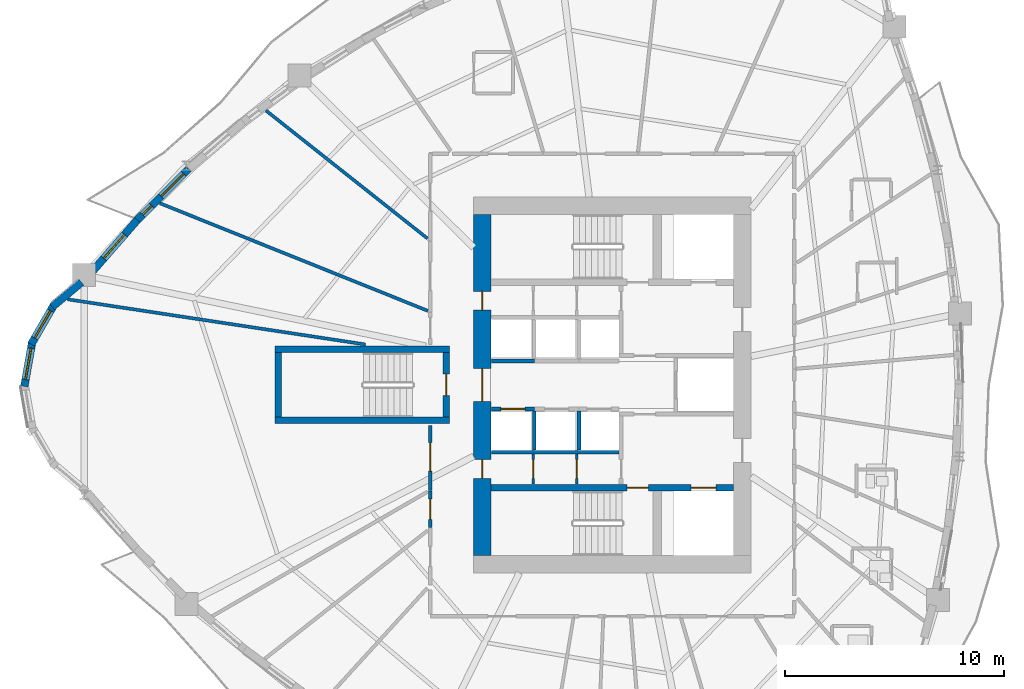
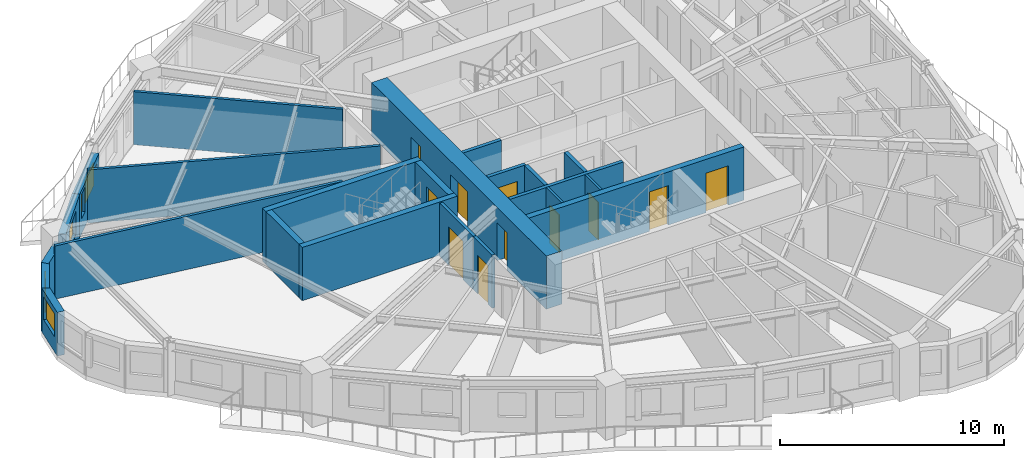
# One storey, part 4 of 13: 23 walls, 11 doors, 5 windows, 16 openings.
"""IFC4 building model written with IfcOpenShell, lengths in metres."""

from ifc_helpers import new_model, si_unit, direction, frame, frame_2d, origin, place, context, subcontext, project, spatial, rectangle, extrude, source, transform, mapped, material, layer, layer_set, type_object, element, fill, save


model = new_model("IFC4")

# Units and contexts
model_context = context("Model", 3, precision=1e-05, world=origin(), true_north=direction((0.0, 1.0)))
body_context = subcontext(model_context, "Body", "Model", "MODEL_VIEW")
ifc_project = project(units=[si_unit("LENGTHUNIT", "METRE"), si_unit("AREAUNIT", "SQUARE_METRE"), si_unit("VOLUMEUNIT", "CUBIC_METRE"), si_unit("PLANEANGLEUNIT", "RADIAN"), si_unit("MASSUNIT", "GRAM", prefix="KILO")], contexts=[model_context])

# Site, building, storey
site_placement = place(None, origin())
site = spatial("IfcSite", under=ifc_project, at=site_placement, CompositionType="ELEMENT")
building_placement = place(site_placement, origin())
building = spatial("IfcBuilding", under=site, at=building_placement, Name="Qafzar Sky-Pleat Residences", CompositionType="ELEMENT")
storey_placement = place(building_placement, frame((0.0, 0.0, 62.199951171875)))
storey = spatial("IfcBuildingStorey", under=building, at=storey_placement, Name="L18", CompositionType="ELEMENT", Elevation=62.199951171875)

# Wall, opening, door
ifc_material_1 = material(Name="Acoustic gypsum plasterboard partition", Category="gypsum")
ifc_layer_1 = layer(ifc_material_1, 0.159912109375)
ifc_layer_set_1 = layer_set([ifc_layer_1], Name="Acoustic gypsum plasterboard partition")
wall_type_1 = type_object("IfcWallType", Name="PART-COR-160", PredefinedType="PARTITIONING", material=ifc_layer_set_1)
wall_1_placement = place(storey_placement, frame((22.02001953125, 21.16796875, 0.0), z_axis=(0.0, 0.0, 1.0), x_axis=(0.0, 1.0, 0.0)))
wall_1 = element("IfcWall", 1, at=wall_1_placement, inside=storey, type_object=wall_type_1, Name="L18 Partition Wall PART-L18-PW-011", PredefinedType="PARTITIONING", context=body_context, shape_type="SweptSolid", body=[
    extrude(rectangle(XDim=2.98193359375, YDim=0.159912109375, at=frame_2d((1.490966796875, 0.0))), origin(), (0.0, 0.0, 1.0), 2.900146484375),
])
opening_1_placement = place(wall_1_placement, frame((0.887451171875, 0.0, 0.0)))
opening_1 = element("IfcOpeningElement", 2, at=opening_1_placement, cuts=wall_1, Name="Opening ID-05", PredefinedType="OPENING", context=body_context, shape_type="SweptSolid", body=[
    extrude(rectangle(XDim=1.300048828125, YDim=2.10009765625, at=frame_2d((0.64990234375, 1.050048828125))), frame((0.0, 0.08984375, 0.0), z_axis=(0.0, -1.0, 0.0), x_axis=(1.0, 0.0, 0.0)), (0.0, 0.0, 1.0), 0.179931640625),
])
ifc_material_2 = material(Name="Timber-faced fire door", Category="wood")
door_type_1 = type_object("IfcDoorType", Name="DR-LNG-1300", OperationType="DOUBLE_DOOR_SINGLE_SWING", PredefinedType="DOOR", material=ifc_material_2)
shared_shape_1 = source(origin(), body_context, "Body", "SweptSolid", [
    extrude(rectangle(XDim=1.300048828125, YDim=2.10009765625, at=frame_2d((0.64990234375, 1.050048828125))), frame((0.0, 0.02490234375, 0.0), z_axis=(0.0, -1.0, 0.0), x_axis=(1.0, 0.0, 0.0)), (0.0, 0.0, 1.0), 0.050048828125),
])
door_1_placement = place(opening_1_placement, origin())
door_1 = element("IfcDoor", 3, at=door_1_placement, inside=storey, type_object=door_type_1, Name="L18 Academic Seminar Room Door", OperationType="DOUBLE_DOOR_SINGLE_SWING", OverallHeight=2.10009765625, OverallWidth=1.300048828125, PredefinedType="DOOR", context=body_context, shape_type="MappedRepresentation", body=[
    mapped(shared_shape_1, transform((0.0, 0.0, 0.0), x_axis=(1.0, 0.0, 0.0), y_axis=(0.0, 1.0, 0.0), z_axis=(0.0, 0.0, 1.0), scale=1.0)),
])
fill(opening_1, door_1)

wall_2_placement = place(storey_placement, frame((22.02001953125, 19.470947265625, 0.0), z_axis=(0.0, 0.0, 1.0), x_axis=(0.0, 1.0, 0.0)))
wall_2 = element("IfcWall", 4, at=wall_2_placement, inside=storey, type_object=wall_type_1, Name="L18 Partition Wall PART-L18-PW-028", PredefinedType="PARTITIONING", context=body_context, shape_type="SweptSolid", body=[
    extrude(rectangle(XDim=1.68212890625, YDim=0.159912109375, at=frame_2d((0.841064453125, 0.0))), origin(), (0.0, 0.0, 1.0), 2.900146484375),
])
opening_2_placement = place(wall_2_placement, frame((0.3798828125, 0.0, 0.0)))
opening_2 = element("IfcOpeningElement", 5, at=opening_2_placement, cuts=wall_2, Name="Opening ID-04", PredefinedType="OPENING", context=body_context, shape_type="SweptSolid", body=[
    extrude(rectangle(XDim=0.919921875, YDim=2.10009765625, at=frame_2d((0.4599609375, 1.050048828125))), frame((0.0, 0.08984375, 0.0), z_axis=(0.0, -1.0, 0.0), x_axis=(1.0, 0.0, 0.0)), (0.0, 0.0, 1.0), 0.179931640625),
])
door_type_2 = type_object("IfcDoorType", Name="DR-BED-920", OperationType="NOTDEFINED", PredefinedType="DOOR", material=ifc_material_2)
shared_shape_2 = source(origin(), body_context, "Body", "SweptSolid", [
    extrude(rectangle(XDim=0.919921875, YDim=2.10009765625, at=frame_2d((0.4599609375, 1.050048828125))), frame((0.0, 0.02490234375, 0.0), z_axis=(0.0, -1.0, 0.0), x_axis=(1.0, 0.0, 0.0)), (0.0, 0.0, 1.0), 0.050048828125),
])
door_2_placement = place(opening_2_placement, origin())
door_2 = element("IfcDoor", 6, at=door_2_placement, inside=storey, type_object=door_type_2, Name="L18 Co-Living Bedroom 10 Door", OperationType="SINGLE_SWING_RIGHT", OverallHeight=2.10009765625, OverallWidth=0.919921875, PredefinedType="DOOR", context=body_context, shape_type="MappedRepresentation", body=[
    mapped(shared_shape_2, transform((0.0, 0.0, 0.0), x_axis=(1.0, 0.0, 0.0), y_axis=(0.0, 1.0, 0.0), z_axis=(0.0, 0.0, 1.0), scale=1.0)),
])
fill(opening_2, door_2)

# Wall
ifc_material_3 = material(Name="Concrete blockwork partition", Category="masonry")
ifc_layer_2 = layer(ifc_material_3, 0.179931640625)
ifc_layer_set_2 = layer_set([ifc_layer_2], Name="Concrete blockwork partition")
wall_type_2 = type_object("IfcWallType", Name="PART-SHAFT-180", PredefinedType="PARTITIONING", material=ifc_layer_set_2)
wall_3_placement = place(storey_placement, frame((24.81005859375, 22.919921875, 0.0), z_axis=(0.0, 0.0, 1.0), x_axis=(1.0, 0.0, 0.0)))
element("IfcWall", 7, at=wall_3_placement, inside=storey, type_object=wall_type_2, Name="L18 Partition Wall PART-L18-P13-S", PredefinedType="PARTITIONING", context=body_context, shape_type="SweptSolid", body=[
    extrude(rectangle(XDim=5.83984375, YDim=0.179931640625, at=frame_2d((2.919921875, 0.0))), origin(), (0.0, 0.0, 1.0), 2.900146484375),
])

# Wall, opening, door
wall_4_placement = place(storey_placement, frame((24.81005859375, 24.89990234375, 0.0), z_axis=(0.0, 0.0, 1.0), x_axis=(1.0, 0.0, 0.0)))
wall_4 = element("IfcWall", 8, at=wall_4_placement, inside=storey, type_object=wall_type_2, Name="L18 Partition Wall PART-L18-P1-N", PredefinedType="PARTITIONING", context=body_context, shape_type="SweptSolid", body=[
    extrude(rectangle(XDim=1.96484375, YDim=0.179931640625, at=frame_2d((0.982421875, 0.0))), origin(), (0.0, 0.0, 1.0), 2.900146484375),
])
opening_3_placement = place(wall_4_placement, frame((0.4326171875, 0.0, 0.0)))
opening_3 = element("IfcOpeningElement", 9, at=opening_3_placement, cuts=wall_4, Name="Opening LD-01", PredefinedType="OPENING", context=body_context, shape_type="SweptSolid", body=[
    extrude(rectangle(XDim=1.10009765625, YDim=2.14990234375, at=frame_2d((0.550048828125, 1.074951171875))), frame((0.0, 0.10009765625, 0.0), z_axis=(0.0, -1.0, 0.0), x_axis=(1.0, 0.0, 0.0)), (0.0, 0.0, 1.0), 0.199951171875),
])
ifc_material_4 = material(Name="Stainless steel sliding landing door", Category="steel")
door_type_3 = type_object("IfcDoorType", Name="DR-LIFT-P", OperationType="DOUBLE_DOOR_SLIDING", PredefinedType="DOOR", material=ifc_material_4)
shared_shape_3 = source(origin(), body_context, "Body", "SweptSolid", [
    extrude(rectangle(XDim=1.10009765625, YDim=2.14990234375, at=frame_2d((0.550048828125, 1.074951171875))), frame((0.0, 0.02490234375, 0.0), z_axis=(0.0, -1.0, 0.0), x_axis=(1.0, 0.0, 0.0)), (0.0, 0.0, 1.0), 0.050048828125),
])
door_3_placement = place(opening_3_placement, origin())
door_3 = element("IfcDoor", 10, at=door_3_placement, inside=storey, type_object=door_type_3, Name="L18 Passenger Lift P1 Landing Door", OperationType="DOUBLE_DOOR_SLIDING", OverallHeight=2.14990234375, OverallWidth=1.10009765625, PredefinedType="DOOR", context=body_context, shape_type="MappedRepresentation", body=[
    mapped(shared_shape_3, transform((0.0, 0.0, 0.0), x_axis=(1.0, 0.0, 0.0), y_axis=(0.0, 1.0, 0.0), z_axis=(0.0, 0.0, 1.0), scale=1.0)),
])
fill(opening_3, door_3)

# Walls
for number, where, z_axis, x_axis, name in (
    (11, (26.77490234375, 23.02001953125, 0.0), (0.0, 0.0, 1.0), (0.0, 1.0, 0.0), "L18 Partition Wall PART-L18-P13-DIV-1"),
    (12, (28.824951171875, 23.02001953125, 0.0), (0.0, 0.0, 1.0), (0.0, 1.0, 0.0), "L18 Partition Wall PART-L18-P13-DIV-2"),
):
    element("IfcWall", number, at=place(storey_placement, frame(where, z_axis=z_axis, x_axis=x_axis)), inside=storey, type_object=wall_type_2, Name=name, PredefinedType="PARTITIONING", context=body_context, shape_type="SweptSolid", body=[
        extrude(rectangle(XDim=1.780029296875, YDim=0.179931640625, at=frame_2d((0.89013671875, 0.0))), origin(), (0.0, 0.0, 1.0), 2.900146484375),
    ])
wall_5_placement = place(storey_placement, frame((24.81005859375, 27.10009765625, 0.0), z_axis=(0.0, 0.0, 1.0), x_axis=(1.0, 0.0, 0.0)))
element("IfcWall", 13, at=wall_5_placement, inside=storey, type_object=wall_type_2, Name="L18 Partition Wall PART-L18-P4-S", PredefinedType="PARTITIONING", context=body_context, shape_type="SweptSolid", body=[
    extrude(rectangle(XDim=1.96484375, YDim=0.179931640625, at=frame_2d((0.982421875, 0.0))), origin(), (0.0, 0.0, 1.0), 2.900146484375),
])

# Wall, opening, door
ifc_material_5 = material(Name="Gypsum plasterboard partition", Category="gypsum")
ifc_layer_3 = layer(ifc_material_5, 0.114990234375)
ifc_layer_set_3 = layer_set([ifc_layer_3], Name="Gypsum plasterboard partition")
wall_type_3 = type_object("IfcWallType", Name="PART-SVC-115", PredefinedType="PARTITIONING", material=ifc_layer_set_3)
wall_6_placement = place(storey_placement, frame((26.72509765625, 21.4599609375, 0.0), z_axis=(0.0, 0.0, 1.0), x_axis=(0.0, 1.0, 0.0)))
wall_6 = element("IfcWall", 14, at=wall_6_placement, inside=storey, type_object=wall_type_3, Name="L18 Partition Wall PART-L18-KC-SW-1", PredefinedType="PARTITIONING", context=body_context, shape_type="SweptSolid", body=[
    extrude(rectangle(XDim=1.380126953125, YDim=0.114990234375, at=frame_2d((0.68994140625, 0.0))), origin(), (0.0, 0.0, 1.0), 2.900146484375),
])
opening_4_placement = place(wall_6_placement, frame((0.260009765625, 0.0, 0.0)))
opening_4 = element("IfcOpeningElement", 15, at=opening_4_placement, cuts=wall_6, Name="Opening ID-09", PredefinedType="OPENING", context=body_context, shape_type="SweptSolid", body=[
    extrude(rectangle(XDim=0.860107421875, YDim=2.050048828125, at=frame_2d((0.43017578125, 1.02490234375))), frame((0.0, 0.0673828125, 0.0), z_axis=(0.0, -1.0, 0.0), x_axis=(1.0, 0.0, 0.0)), (0.0, 0.0, 1.0), 0.135009765625),
])
door_type_4 = type_object("IfcDoorType", Name="DR-SVC-860", OperationType="NOTDEFINED", PredefinedType="DOOR", material=ifc_material_2)
shared_shape_4 = source(origin(), body_context, "Body", "SweptSolid", [
    extrude(rectangle(XDim=0.860107421875, YDim=2.050048828125, at=frame_2d((0.43017578125, 1.02490234375))), frame((0.0, 0.02490234375, 0.0), z_axis=(0.0, -1.0, 0.0), x_axis=(1.0, 0.0, 0.0)), (0.0, 0.0, 1.0), 0.050048828125),
])
door_4_placement = place(opening_4_placement, origin())
door_4 = element("IfcDoor", 16, at=door_4_placement, inside=storey, type_object=door_type_4, Name="L18 Core South Cupboard 1 Door", OperationType="SINGLE_SWING_LEFT", OverallHeight=2.050048828125, OverallWidth=0.860107421875, PredefinedType="DOOR", context=body_context, shape_type="MappedRepresentation", body=[
    mapped(shared_shape_4, transform((0.0, 0.0, 0.0), x_axis=(1.0, 0.0, 0.0), y_axis=(0.0, 1.0, 0.0), z_axis=(0.0, 0.0, 1.0), scale=1.0)),
])
fill(opening_4, door_4)

wall_7_placement = place(storey_placement, frame((28.72509765625, 21.4599609375, 0.0), z_axis=(0.0, 0.0, 1.0), x_axis=(0.0, 1.0, 0.0)))
wall_7 = element("IfcWall", 17, at=wall_7_placement, inside=storey, type_object=wall_type_3, Name="L18 Partition Wall PART-L18-KC-SW-2", PredefinedType="PARTITIONING", context=body_context, shape_type="SweptSolid", body=[
    extrude(rectangle(XDim=1.380126953125, YDim=0.114990234375, at=frame_2d((0.68994140625, 0.0))), origin(), (0.0, 0.0, 1.0), 2.900146484375),
])
opening_5_placement = place(wall_7_placement, frame((0.260009765625, 0.0, 0.0)))
opening_5 = element("IfcOpeningElement", 18, at=opening_5_placement, cuts=wall_7, Name="Opening ID-09", PredefinedType="OPENING", context=body_context, shape_type="SweptSolid", body=[
    extrude(rectangle(XDim=0.860107421875, YDim=2.050048828125, at=frame_2d((0.43017578125, 1.02490234375))), frame((0.0, 0.0673828125, 0.0), z_axis=(0.0, -1.0, 0.0), x_axis=(1.0, 0.0, 0.0)), (0.0, 0.0, 1.0), 0.135009765625),
])
door_5_placement = place(opening_5_placement, origin())
door_5 = element("IfcDoor", 19, at=door_5_placement, inside=storey, type_object=door_type_4, Name="L18 Core South Cupboard 2 Door", OperationType="SINGLE_SWING_LEFT", OverallHeight=2.050048828125, OverallWidth=0.860107421875, PredefinedType="DOOR", context=body_context, shape_type="MappedRepresentation", body=[
    mapped(shared_shape_4, transform((0.0, 0.0, 0.0), x_axis=(1.0, 0.0, 0.0), y_axis=(0.0, 1.0, 0.0), z_axis=(0.0, 0.0, 1.0), scale=1.0)),
])
fill(opening_5, door_5)

# Walls
ifc_layer_4 = layer(ifc_material_1, 0.14501953125)
ifc_layer_set_4 = layer_set([ifc_layer_4], Name="Acoustic gypsum plasterboard partition")
wall_type_4 = type_object("IfcWallType", Name="PART-UNIT-145", PredefinedType="PARTITIONING", material=ifc_layer_set_4)
wall_8_placement = place(storey_placement, frame((5.4169921875, 29.918212890625, 0.0), z_axis=(0.0, 0.0, 1.0), x_axis=(0.98869499802, -0.149940657898, 0.0)))
element("IfcWall", 20, at=wall_8_placement, inside=storey, type_object=wall_type_4, Name="L18 Partition Wall PART-L18-PW-032", PredefinedType="PARTITIONING", context=body_context, shape_type="SweptSolid", body=[
    extrude(rectangle(XDim=13.79296875, YDim=0.14501953125, at=frame_2d((6.896484375, 0.0))), origin(), (0.0, 0.0, 1.0), 2.900146484375),
])
wall_9_placement = place(storey_placement, frame((9.64599609375, 34.3115234375, 0.0), z_axis=(0.0, 0.0, 1.0), x_axis=(0.928010757454, -0.372553397581, 0.0)))
element("IfcWall", 21, at=wall_9_placement, inside=storey, type_object=wall_type_4, Name="L18 Partition Wall PART-L18-PW-033", PredefinedType="PARTITIONING", context=body_context, shape_type="SweptSolid", body=[
    extrude(rectangle(XDim=13.21044921875, YDim=0.14501953125, at=frame_2d((6.605224609375, 0.0))), origin(), (0.0, 0.0, 1.0), 2.900146484375),
])
wall_10_placement = place(storey_placement, frame((14.493896484375, 38.558349609375, 0.0), z_axis=(0.0, 0.0, 1.0), x_axis=(0.783879440631, -0.620913055552, 0.0)))
element("IfcWall", 22, at=wall_10_placement, inside=storey, type_object=wall_type_4, Name="L18 Partition Wall PART-L18-PW-040", PredefinedType="PARTITIONING", context=body_context, shape_type="SweptSolid", body=[
    extrude(rectangle(XDim=9.43359375, YDim=0.14501953125, at=frame_2d((4.716796875, 0.0))), origin(), (0.0, 0.0, 1.0), 2.900146484375),
])
ifc_material_6 = material(Name="Precast concrete C40/50 with honed Riyadh limestone", Category="concrete")
ifc_layer_5 = layer(ifc_material_6, 0.35009765625)
ifc_layer_set_5 = layer_set([ifc_layer_5], Name="Precast concrete C40/50 with honed Riyadh limestone")
wall_type_5 = type_object("IfcWallType", Name="WALL-EXT-350", PredefinedType="SOLIDWALL", material=ifc_layer_set_5)
wall_11_placement = place(storey_placement, frame((6.0576171875, 30.696044921875, 0.0), z_axis=(0.0, 0.0, 1.0), x_axis=(-0.766001205563, -0.64283913468, 0.0)))
element("IfcWall", 23, at=wall_11_placement, inside=storey, type_object=wall_type_5, Name="L18 Limestone Facade Wall 1", PredefinedType="SOLIDWALL", context=body_context, shape_type="SweptSolid", body=[
    extrude(rectangle(XDim=1.75244140625, YDim=0.35009765625, at=frame_2d((0.876220703125, 0.0))), origin(), (0.0, 0.0, 1.0), 2.380126953125),
])

# Wall, opening, window
wall_12_placement = place(storey_placement, frame((4.802490234375, 29.673583984375, 0.0), z_axis=(0.0, 0.0, 1.0), x_axis=(-0.499995423472, -0.866028046028, 0.0)))
wall_12 = element("IfcWall", 24, at=wall_12_placement, inside=storey, type_object=wall_type_5, Name="L18 Limestone Facade Wall 2", PredefinedType="SOLIDWALL", context=body_context, shape_type="SweptSolid", body=[
    extrude(rectangle(XDim=2.09033203125, YDim=0.35009765625, at=frame_2d((1.045166015625, 0.0))), origin(), (0.0, 0.0, 1.0), 2.380126953125),
])
opening_6_placement = place(wall_12_placement, frame((0.3203125, 0.0, 0.820068359375)))
opening_6 = element("IfcOpeningElement", 25, at=opening_6_placement, cuts=wall_12, Name="Opening WN-15", PredefinedType="OPENING", context=body_context, shape_type="SweptSolid", body=[
    extrude(rectangle(XDim=1.449951171875, YDim=1.25, at=frame_2d((0.72509765625, 0.625))), frame((0.0, 0.18505859375, 0.0), z_axis=(0.0, -1.0, 0.0), x_axis=(1.0, 0.0, 0.0)), (0.0, 0.0, 1.0), 0.3701171875),
])
ifc_material_7 = material(Name="Solar-control low-E glass in bronze aluminium frame", Category="glass")
window_type_1 = type_object("IfcWindowType", Name="WIN-15", PartitioningType="SINGLE_PANEL", PredefinedType="WINDOW", material=ifc_material_7)
shared_shape_5 = source(origin(), body_context, "Body", "SweptSolid", [
    extrude(rectangle(XDim=1.449951171875, YDim=1.25, at=frame_2d((0.72509765625, 0.625))), frame((0.0, 0.030029296875, 0.0), z_axis=(0.0, -1.0, 0.0), x_axis=(1.0, 0.0, 0.0)), (0.0, 0.0, 1.0), 0.06005859375),
])
window_1_placement = place(opening_6_placement, origin())
window_1 = element("IfcWindow", 26, at=window_1_placement, inside=storey, type_object=window_type_1, Name="L18 Punched Facade Window 02", OverallHeight=1.25, OverallWidth=1.449951171875, PartitioningType="SINGLE_PANEL", PredefinedType="WINDOW", context=body_context, shape_type="MappedRepresentation", body=[
    mapped(shared_shape_5, transform((0.0, 0.0, 0.0), x_axis=(1.0, 0.0, 0.0), y_axis=(0.0, 1.0, 0.0), z_axis=(0.0, 0.0, 1.0), scale=1.0)),
])
fill(opening_6, window_1)

wall_13_placement = place(storey_placement, frame((3.8037109375, 27.99072265625, 0.0), z_axis=(0.0, 0.0, 1.0), x_axis=(-0.173672066494, -0.984803540469, 0.0)))
wall_13 = element("IfcWall", 27, at=wall_13_placement, inside=storey, type_object=wall_type_5, Name="L18 Limestone Facade Wall 3", PredefinedType="SOLIDWALL", context=body_context, shape_type="SweptSolid", body=[
    extrude(rectangle(XDim=2.09033203125, YDim=0.35009765625, at=frame_2d((1.045166015625, 0.0))), origin(), (0.0, 0.0, 1.0), 2.380126953125),
])
opening_7_placement = place(wall_13_placement, frame((0.3203125, 0.0, 0.820068359375)))
opening_7 = element("IfcOpeningElement", 28, at=opening_7_placement, cuts=wall_13, Name="Opening WN-15", PredefinedType="OPENING", context=body_context, shape_type="SweptSolid", body=[
    extrude(rectangle(XDim=1.449951171875, YDim=1.25, at=frame_2d((0.72509765625, 0.625))), frame((0.0, 0.18505859375, 0.0), z_axis=(0.0, -1.0, 0.0), x_axis=(1.0, 0.0, 0.0)), (0.0, 0.0, 1.0), 0.3701171875),
])
window_2_placement = place(opening_7_placement, origin())
window_2 = element("IfcWindow", 29, at=window_2_placement, inside=storey, type_object=window_type_1, Name="L18 Punched Facade Window 03", OverallHeight=1.25, OverallWidth=1.449951171875, PartitioningType="SINGLE_PANEL", PredefinedType="WINDOW", context=body_context, shape_type="MappedRepresentation", body=[
    mapped(shared_shape_5, transform((0.0, 0.0, 0.0), x_axis=(1.0, 0.0, 0.0), y_axis=(0.0, 1.0, 0.0), z_axis=(0.0, 0.0, 1.0), scale=1.0)),
])
fill(opening_7, window_2)

# Wall, openings, windows
wall_14_placement = place(storey_placement, frame((10.96533203125, 35.888671875, 0.0), z_axis=(0.0, 0.0, 1.0), x_axis=(-0.708394377581, -0.70581683588, 0.0)))
wall_14 = element("IfcWall", 30, at=wall_14_placement, inside=storey, type_object=wall_type_5, Name="L18 Limestone Facade Wall 47", PredefinedType="SOLIDWALL", context=body_context, shape_type="SweptSolid", body=[
    extrude(rectangle(XDim=3.409912109375, YDim=0.35009765625, at=frame_2d((1.705078125, 0.0))), origin(), (0.0, 0.0, 1.0), 2.380126953125),
])
opening_8_placement = place(wall_14_placement, frame((0.333251953125, 0.0, 0.820068359375)))
opening_8 = element("IfcOpeningElement", 31, at=opening_8_placement, cuts=wall_14, Name="Opening WN-15", PredefinedType="OPENING", context=body_context, shape_type="SweptSolid", body=[
    extrude(rectangle(XDim=1.449951171875, YDim=1.25, at=frame_2d((0.72509765625, 0.625))), frame((0.0, 0.18505859375, 0.0), z_axis=(0.0, -1.0, 0.0), x_axis=(1.0, 0.0, 0.0)), (0.0, 0.0, 1.0), 0.3701171875),
])
opening_9_placement = place(wall_14_placement, frame((2.4033203125, 0.0, 0.820068359375)))
opening_9 = element("IfcOpeningElement", 32, at=opening_9_placement, cuts=wall_14, Name="Opening WN-17", PredefinedType="OPENING", context=body_context, shape_type="SweptSolid", body=[
    extrude(rectangle(XDim=0.580078125, YDim=1.35009765625, at=frame_2d((0.2900390625, 0.675048828125))), frame((0.0, 0.18505859375, 0.0), z_axis=(0.0, -1.0, 0.0), x_axis=(1.0, 0.0, 0.0)), (0.0, 0.0, 1.0), 0.3701171875),
])
window_3_placement = place(opening_8_placement, origin())
window_3 = element("IfcWindow", 33, at=window_3_placement, inside=storey, type_object=window_type_1, Name="L18 Punched Facade Window 47", OverallHeight=1.25, OverallWidth=1.449951171875, PartitioningType="SINGLE_PANEL", PredefinedType="WINDOW", context=body_context, shape_type="MappedRepresentation", body=[
    mapped(shared_shape_5, transform((0.0, 0.0, 0.0), x_axis=(1.0, 0.0, 0.0), y_axis=(0.0, 1.0, 0.0), z_axis=(0.0, 0.0, 1.0), scale=1.0)),
])
fill(opening_8, window_3)
window_type_2 = type_object("IfcWindowType", Name="WIN-17", PartitioningType="SINGLE_PANEL", PredefinedType="WINDOW", material=ifc_material_7)
shared_shape_6 = source(origin(), body_context, "Body", "SweptSolid", [
    extrude(rectangle(XDim=0.580078125, YDim=1.35009765625, at=frame_2d((0.2900390625, 0.675048828125))), frame((0.0, 0.030029296875, 0.0), z_axis=(0.0, -1.0, 0.0), x_axis=(1.0, 0.0, 0.0)), (0.0, 0.0, 1.0), 0.06005859375),
])
window_4_placement = place(opening_9_placement, origin())
window_4 = element("IfcWindow", 34, at=window_4_placement, inside=storey, type_object=window_type_2, Name="L18 Punched Facade Window 47-2", OverallHeight=1.35009765625, OverallWidth=0.580078125, PartitioningType="SINGLE_PANEL", PredefinedType="WINDOW", context=body_context, shape_type="MappedRepresentation", body=[
    mapped(shared_shape_6, transform((0.0, 0.0, 0.0), x_axis=(1.0, 0.0, 0.0), y_axis=(0.0, 1.0, 0.0), z_axis=(0.0, 0.0, 1.0), scale=1.0)),
])
fill(opening_9, window_4)

# Wall, opening, window
wall_15_placement = place(storey_placement, frame((8.610107421875, 33.54638671875, 0.0), z_axis=(0.0, 0.0, 1.0), x_axis=(-0.657608204376, -0.753360106149, 0.0)))
wall_15 = element("IfcWall", 35, at=wall_15_placement, inside=storey, type_object=wall_type_5, Name="L18 Limestone Facade Wall 48", PredefinedType="SOLIDWALL", context=body_context, shape_type="SweptSolid", body=[
    extrude(rectangle(XDim=3.202392578125, YDim=0.35009765625, at=frame_2d((1.60107421875, 0.0))), origin(), (0.0, 0.0, 1.0), 2.380126953125),
])
opening_10_placement = place(wall_15_placement, frame((0.881103515625, 0.0, 0.820068359375)))
opening_10 = element("IfcOpeningElement", 36, at=opening_10_placement, cuts=wall_15, Name="Opening WN-15", PredefinedType="OPENING", context=body_context, shape_type="SweptSolid", body=[
    extrude(rectangle(XDim=1.449951171875, YDim=1.25, at=frame_2d((0.72509765625, 0.625))), frame((0.0, 0.18505859375, 0.0), z_axis=(0.0, -1.0, 0.0), x_axis=(1.0, 0.0, 0.0)), (0.0, 0.0, 1.0), 0.3701171875),
])
window_5_placement = place(opening_10_placement, origin())
window_5 = element("IfcWindow", 37, at=window_5_placement, inside=storey, type_object=window_type_1, Name="L18 Punched Facade Window 48", OverallHeight=1.25, OverallWidth=1.449951171875, PartitioningType="SINGLE_PANEL", PredefinedType="WINDOW", context=body_context, shape_type="MappedRepresentation", body=[
    mapped(shared_shape_5, transform((0.0, 0.0, 0.0), x_axis=(1.0, 0.0, 0.0), y_axis=(0.0, 1.0, 0.0), z_axis=(0.0, 0.0, 1.0), scale=1.0)),
])
fill(opening_10, window_5)

# Wall, openings, doors
ifc_material_8 = material(Name="Concrete C60/75", Category="concrete")
ifc_layer_6 = layer(ifc_material_8, 0.300048828125)
ifc_layer_set_6 = layer_set([ifc_layer_6], Name="Concrete C60/75")
wall_type_6 = type_object("IfcWallType", Name="WALL-SHEAR-300", PredefinedType="SHEAR", material=ifc_layer_set_6)
wall_16_placement = place(storey_placement, frame((24.800048828125, 21.300048828125, 0.0), z_axis=(0.0, 0.0, 1.0), x_axis=(1.0, 0.0, 0.0)))
wall_16 = element("IfcWall", 38, at=wall_16_placement, inside=storey, type_object=wall_type_6, Name="L18 Stair ST1 and FF1 Shaft North Wall", PredefinedType="SHEAR", context=body_context, shape_type="SweptSolid", body=[
    extrude(rectangle(XDim=11.099853515625, YDim=0.300048828125, at=frame_2d((5.5498046875, 0.0))), origin(), (0.0, 0.0, 1.0), 2.900146484375),
])
opening_11_placement = place(wall_16_placement, frame((6.219970703125, 0.0, 0.0)))
opening_11 = element("IfcOpeningElement", 39, at=opening_11_placement, cuts=wall_16, Name="Opening ID-01", PredefinedType="OPENING", context=body_context, shape_type="SweptSolid", body=[
    extrude(rectangle(XDim=0.97998046875, YDim=2.14990234375, at=frame_2d((0.489990234375, 1.074951171875))), frame((0.0, 0.16015625, 0.0), z_axis=(0.0, -1.0, 0.0), x_axis=(1.0, 0.0, 0.0)), (0.0, 0.0, 1.0), 0.320068359375),
])
opening_12_placement = place(wall_16_placement, frame((9.14990234375, 0.0, 0.0)))
opening_12 = element("IfcOpeningElement", 40, at=opening_12_placement, cuts=wall_16, Name="Opening LD-02", PredefinedType="OPENING", context=body_context, shape_type="SweptSolid", body=[
    extrude(rectangle(XDim=1.14990234375, YDim=2.14990234375, at=frame_2d((0.574951171875, 1.074951171875))), frame((0.0, 0.16015625, 0.0), z_axis=(0.0, -1.0, 0.0), x_axis=(1.0, 0.0, 0.0)), (0.0, 0.0, 1.0), 0.320068359375),
])
door_type_5 = type_object("IfcDoorType", Name="DR-STAIR-980", OperationType="NOTDEFINED", PredefinedType="DOOR", material=ifc_material_2)
shared_shape_7 = source(origin(), body_context, "Body", "SweptSolid", [
    extrude(rectangle(XDim=0.97998046875, YDim=2.14990234375, at=frame_2d((0.489990234375, 1.074951171875))), frame((0.0, 0.02490234375, 0.0), z_axis=(0.0, -1.0, 0.0), x_axis=(1.0, 0.0, 0.0)), (0.0, 0.0, 1.0), 0.050048828125),
])
door_6_placement = place(opening_11_placement, origin())
door_6 = element("IfcDoor", 41, at=door_6_placement, inside=storey, type_object=door_type_5, Name="L18 Stair ST1 Fire Door", OperationType="SINGLE_SWING_RIGHT", OverallHeight=2.14990234375, OverallWidth=0.97998046875, PredefinedType="DOOR", context=body_context, shape_type="MappedRepresentation", body=[
    mapped(shared_shape_7, transform((0.0, 0.0, 0.0), x_axis=(1.0, 0.0, 0.0), y_axis=(0.0, 1.0, 0.0), z_axis=(0.0, 0.0, 1.0), scale=1.0)),
])
fill(opening_11, door_6)
door_type_6 = type_object("IfcDoorType", Name="DR-LIFT-FF", OperationType="DOUBLE_DOOR_SLIDING", PredefinedType="DOOR", material=ifc_material_4)
shared_shape_8 = source(origin(), body_context, "Body", "SweptSolid", [
    extrude(rectangle(XDim=1.14990234375, YDim=2.14990234375, at=frame_2d((0.574951171875, 1.074951171875))), frame((0.0, 0.02490234375, 0.0), z_axis=(0.0, -1.0, 0.0), x_axis=(1.0, 0.0, 0.0)), (0.0, 0.0, 1.0), 0.050048828125),
])
door_7_placement = place(opening_12_placement, origin())
door_7 = element("IfcDoor", 42, at=door_7_placement, inside=storey, type_object=door_type_6, Name="L18 Firefighting Lift FF1 Landing Door", OperationType="DOUBLE_DOOR_SLIDING", OverallHeight=2.14990234375, OverallWidth=1.14990234375, PredefinedType="DOOR", context=body_context, shape_type="MappedRepresentation", body=[
    mapped(shared_shape_8, transform((0.0, 0.0, 0.0), x_axis=(1.0, 0.0, 0.0), y_axis=(0.0, 1.0, 0.0), z_axis=(0.0, 0.0, 1.0), scale=1.0)),
])
fill(opening_12, door_7)

# Walls
for number, where, z_axis, x_axis, name in (
    (43, (14.89990234375, 24.375, 0.0), (0.0, 0.0, 1.0), (1.0, 0.0, 0.0), "L18 ST3 wall S"),
    (44, (22.89990234375, 27.625, 0.0), (0.0, 0.0, 1.0), (-1.0, 0.0, 0.0), "L18 ST3 wall N"),
):
    element("IfcWall", number, at=place(storey_placement, frame(where, z_axis=z_axis, x_axis=x_axis)), inside=storey, type_object=wall_type_6, Name=name, PredefinedType="SHEAR", context=body_context, shape_type="SweptSolid", body=[
        extrude(rectangle(XDim=8.0, YDim=0.300048828125, at=frame_2d((4.0, 0.0))), origin(), (0.0, 0.0, 1.0), 2.900146484375),
    ])
wall_17_placement = place(storey_placement, frame((15.050048828125, 27.47509765625, 0.0), z_axis=(0.0, 0.0, 1.0), x_axis=(0.0, -1.0, 0.0)))
element("IfcWall", 45, at=wall_17_placement, inside=storey, type_object=wall_type_6, Name="L18 ST3 wall W", PredefinedType="SHEAR", context=body_context, shape_type="SweptSolid", body=[
    extrude(rectangle(XDim=2.9501953125, YDim=0.300048828125, at=frame_2d((1.47509765625, 0.0))), origin(), (0.0, 0.0, 1.0), 2.900146484375),
])

# Wall, opening, door
wall_18_placement = place(storey_placement, frame((22.75, 24.52490234375, 0.0), z_axis=(0.0, 0.0, 1.0), x_axis=(0.0, 1.0, 0.0)))
wall_18 = element("IfcWall", 46, at=wall_18_placement, inside=storey, type_object=wall_type_6, Name="L18 ST3 wall E", PredefinedType="SHEAR", context=body_context, shape_type="SweptSolid", body=[
    extrude(rectangle(XDim=2.9501953125, YDim=0.300048828125, at=frame_2d((1.47509765625, 0.0))), origin(), (0.0, 0.0, 1.0), 2.900146484375),
])
opening_13_placement = place(wall_18_placement, frame((0.985107421875, 0.0, 0.0)))
opening_13 = element("IfcOpeningElement", 47, at=opening_13_placement, cuts=wall_18, Name="Opening ID-01", PredefinedType="OPENING", context=body_context, shape_type="SweptSolid", body=[
    extrude(rectangle(XDim=0.97998046875, YDim=2.14990234375, at=frame_2d((0.489990234375, 1.074951171875))), frame((0.0, 0.16015625, 0.0), z_axis=(0.0, -1.0, 0.0), x_axis=(1.0, 0.0, 0.0)), (0.0, 0.0, 1.0), 0.320068359375),
])
door_8_placement = place(opening_13_placement, origin())
door_8 = element("IfcDoor", 48, at=door_8_placement, inside=storey, type_object=door_type_5, Name="L18 Stair ST3 Fire Door", OperationType="SINGLE_SWING_RIGHT", OverallHeight=2.14990234375, OverallWidth=0.97998046875, PredefinedType="DOOR", context=body_context, shape_type="MappedRepresentation", body=[
    mapped(shared_shape_7, transform((0.0, 0.0, 0.0), x_axis=(1.0, 0.0, 0.0), y_axis=(0.0, 1.0, 0.0), z_axis=(0.0, 0.0, 1.0), scale=1.0)),
])
fill(opening_13, door_8)

# Wall, openings, doors
ifc_layer_7 = layer(ifc_material_8, 0.800048828125)
ifc_layer_set_7 = layer_set([ifc_layer_7], Name="Concrete C60/75")
wall_type_7 = type_object("IfcWallType", Name="WALL-SHEAR-800", PredefinedType="SHEAR", material=ifc_layer_set_7)
wall_19_placement = place(storey_placement, frame((24.39990234375, 33.800048828125, 0.0), z_axis=(0.0, 0.0, 1.0), x_axis=(0.0, -1.0, 0.0)))
wall_19 = element("IfcWall", 49, at=wall_19_placement, inside=storey, type_object=wall_type_7, Name="L18 CORE wall W", PredefinedType="SHEAR", context=body_context, shape_type="SweptSolid", body=[
    extrude(rectangle(XDim=15.60009765625, YDim=0.800048828125, at=frame_2d((7.800048828125, 0.0))), origin(), (0.0, 0.0, 1.0), 2.900146484375),
])
opening_14_placement = place(wall_19_placement, frame((7.050048828125, 0.0, 0.0)))
opening_14 = element("IfcOpeningElement", 50, at=opening_14_placement, cuts=wall_19, Name="Opening ID-03", PredefinedType="OPENING", context=body_context, shape_type="SweptSolid", body=[
    extrude(rectangle(XDim=1.5, YDim=2.14990234375, at=frame_2d((0.75, 1.074951171875))), frame((0.0, 0.41015625, 0.0), z_axis=(0.0, -1.0, 0.0), x_axis=(1.0, 0.0, 0.0)), (0.0, 0.0, 1.0), 0.820068359375),
])
opening_15_placement = place(wall_19_placement, frame((3.52001953125, 0.0, 0.0)))
opening_15 = element("IfcOpeningElement", 51, at=opening_15_placement, cuts=wall_19, Name="Opening ID-09", PredefinedType="OPENING", context=body_context, shape_type="SweptSolid", body=[
    extrude(rectangle(XDim=0.860107421875, YDim=2.050048828125, at=frame_2d((0.43017578125, 1.02490234375))), frame((0.0, 0.41015625, 0.0), z_axis=(0.0, -1.0, 0.0), x_axis=(1.0, 0.0, 0.0)), (0.0, 0.0, 1.0), 0.820068359375),
])
opening_16_placement = place(wall_19_placement, frame((11.219970703125, 0.0, 0.0)))
opening_16 = element("IfcOpeningElement", 52, at=opening_16_placement, cuts=wall_19, Name="Opening ID-09", PredefinedType="OPENING", context=body_context, shape_type="SweptSolid", body=[
    extrude(rectangle(XDim=0.860107421875, YDim=2.050048828125, at=frame_2d((0.43017578125, 1.02490234375))), frame((0.0, 0.41015625, 0.0), z_axis=(0.0, -1.0, 0.0), x_axis=(1.0, 0.0, 0.0)), (0.0, 0.0, 1.0), 0.820068359375),
])
door_type_7 = type_object("IfcDoorType", Name="DR-COR-1500", OperationType="DOUBLE_DOOR_SINGLE_SWING", PredefinedType="DOOR", material=ifc_material_2)
shared_shape_9 = source(origin(), body_context, "Body", "SweptSolid", [
    extrude(rectangle(XDim=1.5, YDim=2.14990234375, at=frame_2d((0.75, 1.074951171875))), frame((0.0, 0.02490234375, 0.0), z_axis=(0.0, -1.0, 0.0), x_axis=(1.0, 0.0, 0.0)), (0.0, 0.0, 1.0), 0.050048828125),
])
door_9_placement = place(opening_14_placement, origin())
door_9 = element("IfcDoor", 53, at=door_9_placement, inside=storey, type_object=door_type_7, Name="L18 Lift Lobby West Double Door", OperationType="DOUBLE_DOOR_SINGLE_SWING", OverallHeight=2.14990234375, OverallWidth=1.5, PredefinedType="DOOR", context=body_context, shape_type="MappedRepresentation", body=[
    mapped(shared_shape_9, transform((0.0, 0.0, 0.0), x_axis=(1.0, 0.0, 0.0), y_axis=(0.0, 1.0, 0.0), z_axis=(0.0, 0.0, 1.0), scale=1.0)),
])
fill(opening_14, door_9)
door_10_placement = place(opening_15_placement, origin())
door_10 = element("IfcDoor", 54, at=door_10_placement, inside=storey, type_object=door_type_4, Name="L18 Core North-West Service Door", OperationType="SINGLE_SWING_LEFT", OverallHeight=2.050048828125, OverallWidth=0.860107421875, PredefinedType="DOOR", context=body_context, shape_type="MappedRepresentation", body=[
    mapped(shared_shape_4, transform((0.0, 0.0, 0.0), x_axis=(1.0, 0.0, 0.0), y_axis=(0.0, 1.0, 0.0), z_axis=(0.0, 0.0, 1.0), scale=1.0)),
])
fill(opening_15, door_10)
door_11_placement = place(opening_16_placement, origin())
door_11 = element("IfcDoor", 55, at=door_11_placement, inside=storey, type_object=door_type_4, Name="L18 Core South-West Service Door", OperationType="SINGLE_SWING_RIGHT", OverallHeight=2.050048828125, OverallWidth=0.860107421875, PredefinedType="DOOR", context=body_context, shape_type="MappedRepresentation", body=[
    mapped(shared_shape_4, transform((0.0, 0.0, 0.0), x_axis=(1.0, 0.0, 0.0), y_axis=(0.0, 1.0, 0.0), z_axis=(0.0, 0.0, 1.0), scale=1.0)),
])
fill(opening_16, door_11)

save(model, "model.ifc")
